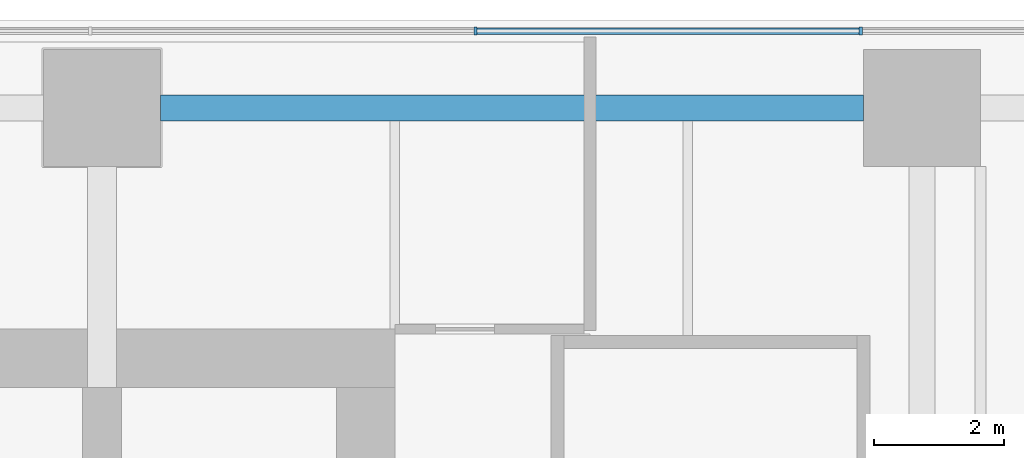
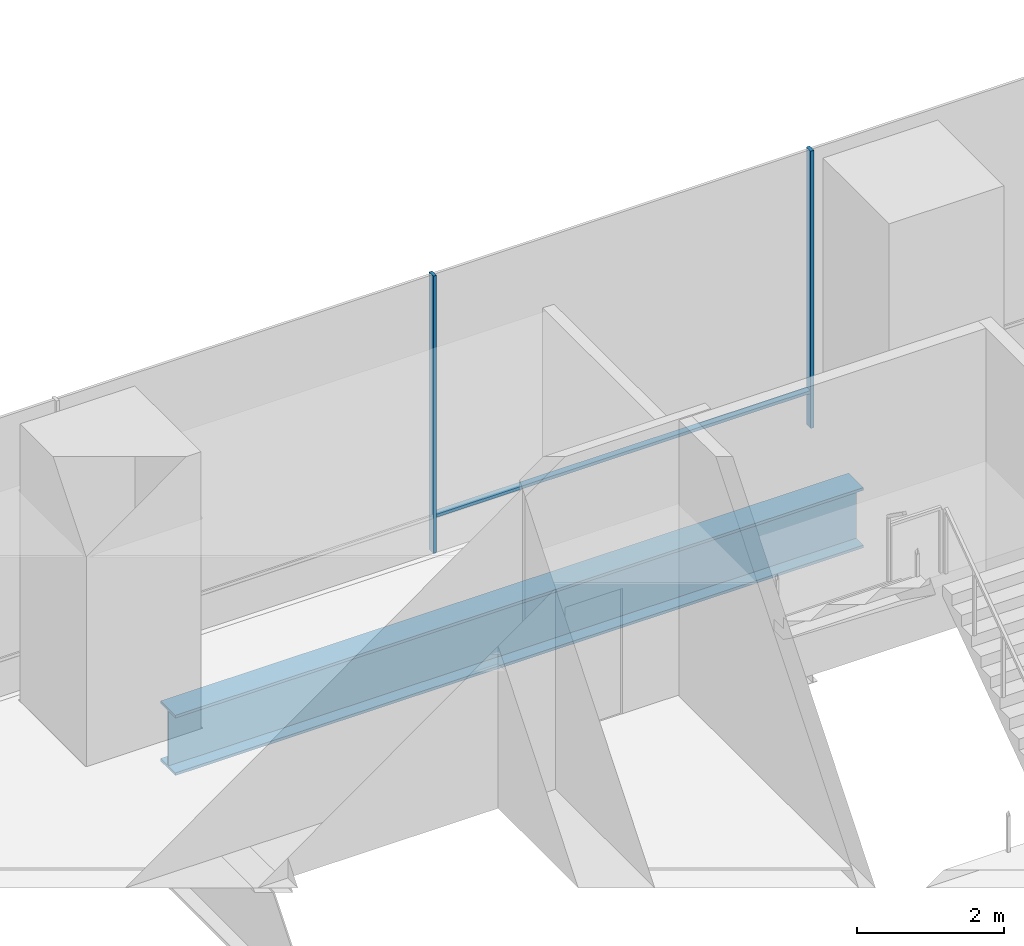
# One storey, part 14 of 28: 3 members, 1 beam, 1 element without a shape of its own.
"""IFC4 building model written with IfcOpenShell, lengths in metres."""

from ifc_helpers import new_model, si_unit, direction, frame, origin, origin_2d, place, context, subcontext, project, spatial, rectangle, i_section, extrude, material, layer, layer_set, material_profile, profile_set, type_object, element, aggregate, save


model = new_model("IFC4")

# Units and contexts
model_context = context("Model", 3, precision=1e-05, world=origin(), true_north=direction((0.0, 1.0)))
body_context = subcontext(model_context, "Body", "Model", "MODEL_VIEW")
ifc_project = project(units=[si_unit("LENGTHUNIT", "METRE"), si_unit("AREAUNIT", "SQUARE_METRE"), si_unit("VOLUMEUNIT", "CUBIC_METRE"), si_unit("PLANEANGLEUNIT", "RADIAN"), si_unit("MASSUNIT", "GRAM", prefix="KILO")], contexts=[model_context])

# Site, building, storey
site_placement = place(None, origin())
site = spatial("IfcSite", under=ifc_project, at=site_placement, CompositionType="ELEMENT")
building_placement = place(site_placement, origin())
building = spatial("IfcBuilding", under=site, at=building_placement, Name="Rattan Terrace Tower", CompositionType="ELEMENT")
storey_placement = place(building_placement, frame((0.0, 0.0, 22.199951171875)))
storey = spatial("IfcBuildingStorey", under=building, at=storey_placement, Name="L04", CompositionType="ELEMENT", Elevation=22.199951171875)

# Beam
ifc_material_1 = material(Name="Steel S460", Category="steel")
ifc_material_profile_1 = material_profile(ifc_material_1, i_section(OverallWidth=0.39990234375, OverallDepth=1.0, WebThickness=0.01806640625, FlangeThickness=0.044921875, at=origin_2d()), Name="PG 1000x400-18-45")
ifc_profile_set_1 = profile_set([ifc_material_profile_1], Name="Steel S460")
beam_type = type_object("IfcBeamType", Name="Frame podium girder PG 1000x400-18-45", PredefinedType="USERDEFINED", material=ifc_profile_set_1)
beam_placement = place(storey_placement, frame((14.39990234375, 10.89990234375, -0.699951171875), z_axis=(1.0, 0.0, 0.0), x_axis=(0.0, 1.0, 0.0)))
element("IfcBeam", 1, at=beam_placement, inside=storey, type_object=beam_type, Name="gdr-L04-050", ObjectType="PODIUM GIRDER", PredefinedType="USERDEFINED", context=body_context, shape_type="SweptSolid", body=[
    extrude(i_section(OverallWidth=0.39990234375, OverallDepth=1.0, WebThickness=0.01806640625, FlangeThickness=0.044921875, at=origin_2d()), origin(), (0.0, 0.0, 1.0), 10.800048828125),
])

# Curtain wall, members
ifc_material_2 = material(Name="Aluminium and glass", Category="aluminium")
ifc_layer = layer(ifc_material_2, 0.1201171875)
ifc_layer_set = layer_set([ifc_layer], Name="Station Storefront Curtain Wall")
curtain_wall_type = type_object("IfcCurtainWallType", Name="Station Storefront Curtain Wall", PredefinedType="NOTDEFINED", material=ifc_layer_set)
curtain_wall_placement = place(storey_placement, origin())
curtain_wall = element("IfcCurtainWall", 2, at=curtain_wall_placement, inside=storey, type_object=curtain_wall_type, Name="Storefront curtain wall L04-2", PredefinedType="NOTDEFINED")
ifc_material_3 = material(Name="Aluminium", Category="aluminium")
ifc_material_profile_2 = material_profile(ifc_material_3, rectangle(XDim=0.050048828125, YDim=0.1201171875, at=origin_2d()), Name="Aluminium 50x120")
ifc_profile_set_2 = profile_set([ifc_material_profile_2], Name="Aluminium")
member_type_1 = type_object("IfcMemberType", Name="Storefront CW Mullion 50x120", PredefinedType="MULLION", material=ifc_profile_set_2)
member_1_placement = place(storey_placement, frame((25.159912109375, 12.080078125, 0.0), z_axis=(0.0, 0.0, 1.0), x_axis=(-1.0, 0.0, 0.0)))
member_1 = element("IfcMember", 3, at=member_1_placement, type_object=member_type_1, Name="Mullion cwl-L04-002.3", PredefinedType="MULLION", context=body_context, shape_type="SweptSolid", body=[
    extrude(rectangle(XDim=0.050048828125, YDim=0.1201171875, at=origin_2d()), origin(), (0.0, 0.0, 1.0), 4.60009765625),
])
member_2_placement = place(storey_placement, frame((19.239990234375, 12.080078125, 0.0), z_axis=(0.0, 0.0, 1.0), x_axis=(-1.0, 0.0, 0.0)))
member_2 = element("IfcMember", 4, at=member_2_placement, type_object=member_type_1, Name="Mullion cwl-L04-002.4", PredefinedType="MULLION", context=body_context, shape_type="SweptSolid", body=[
    extrude(rectangle(XDim=0.050048828125, YDim=0.1201171875, at=origin_2d()), origin(), (0.0, 0.0, 1.0), 4.60009765625),
])
ifc_material_4 = material(Name="Aluminium", Category="aluminium")
ifc_material_profile_3 = material_profile(ifc_material_4, rectangle(XDim=0.10009765625, YDim=0.050048828125, at=origin_2d()), Name="Aluminium 100x50")
ifc_profile_set_3 = profile_set([ifc_material_profile_3], Name="Aluminium")
member_type_2 = type_object("IfcMemberType", Name="Storefront CW Transom 100x50", PredefinedType="USERDEFINED", material=ifc_profile_set_3)
member_3_placement = place(storey_placement, frame((25.135009765625, 12.080078125, 0.60009765625), z_axis=(-1.0, 0.0, 0.0), x_axis=(0.0, -1.0, 0.0)))
member_3 = element("IfcMember", 5, at=member_3_placement, type_object=member_type_2, Name="Transom cwl-L04-002.3", ObjectType="TRANSOM", PredefinedType="USERDEFINED", context=body_context, shape_type="SweptSolid", body=[
    extrude(rectangle(XDim=0.10009765625, YDim=0.050048828125, at=origin_2d()), origin(), (0.0, 0.0, 1.0), 5.8701171875),
])
aggregate(curtain_wall, [member_1, member_2, member_3])

save(model, "model.ifc")
